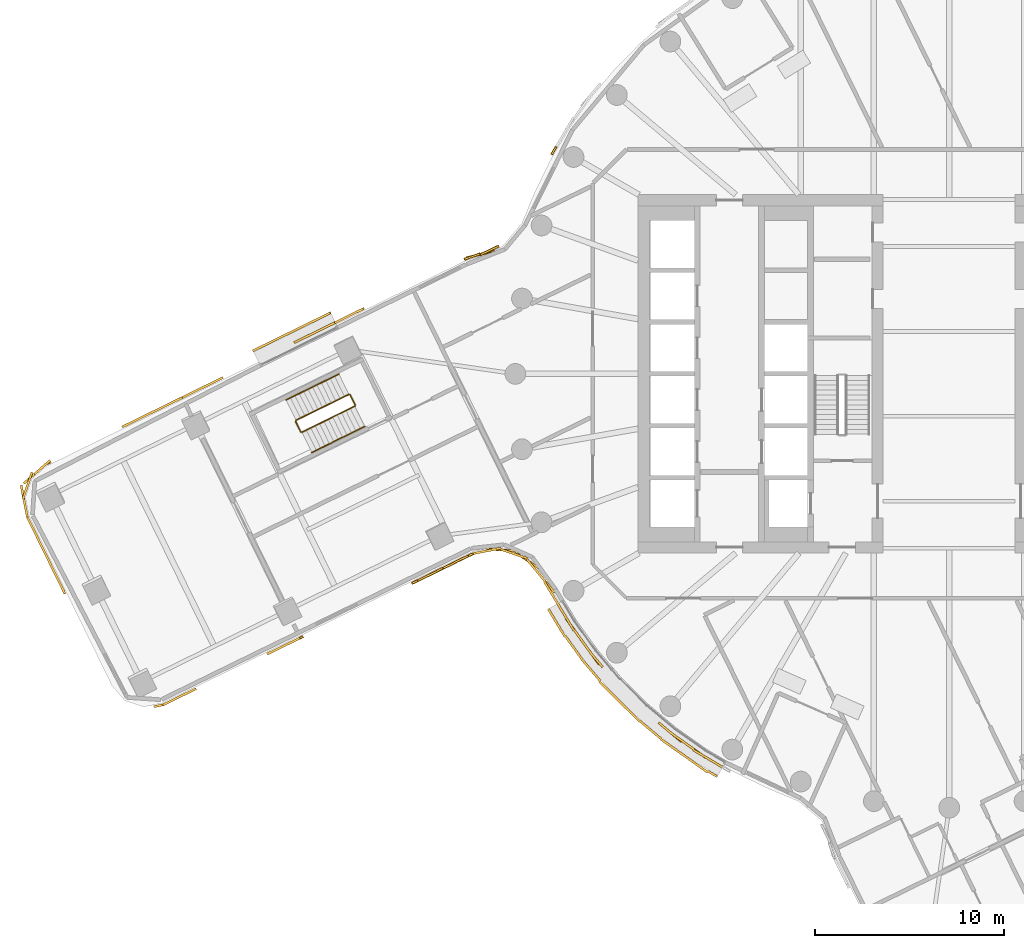
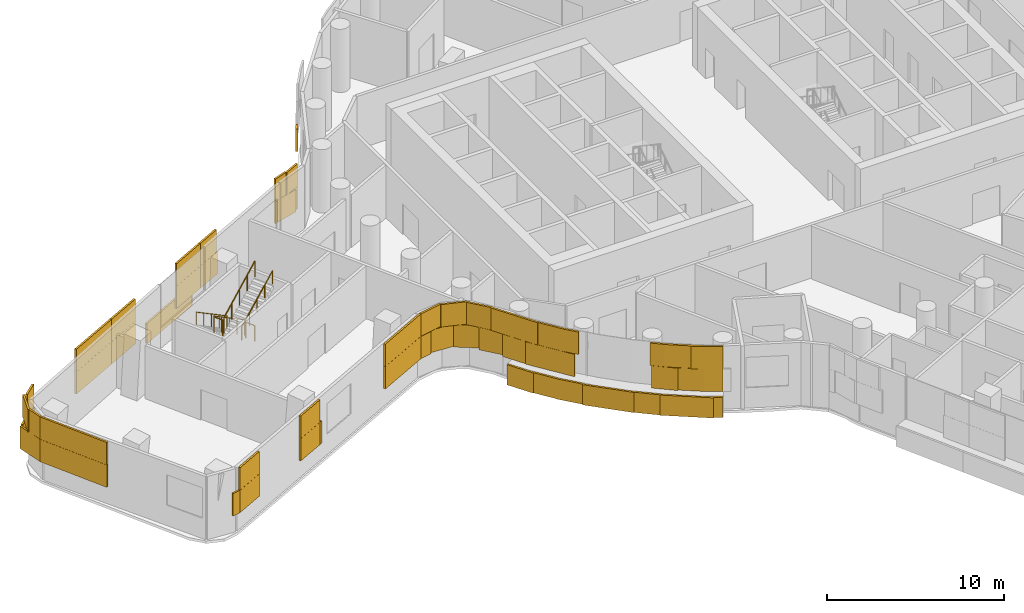
# One storey, part 18 of 23: 8 coverings, 6 railings.
"""IFC4 building model written with IfcOpenShell, lengths in metres."""

from ifc_helpers import new_model, si_unit, direction, frame, origin, origin_2d, place, context, subcontext, project, spatial, rectangle, circle, extrude, material, layer, layer_set, type_object, element, save


model = new_model("IFC4")

# Units and contexts
model_context = context("Model", 3, precision=1e-05, world=origin(), true_north=direction((0.0, 1.0)))
body_context = subcontext(model_context, "Body", "Model", "MODEL_VIEW")
ifc_project = project(units=[si_unit("LENGTHUNIT", "METRE"), si_unit("AREAUNIT", "SQUARE_METRE"), si_unit("VOLUMEUNIT", "CUBIC_METRE"), si_unit("PLANEANGLEUNIT", "RADIAN"), si_unit("MASSUNIT", "GRAM", prefix="KILO")], contexts=[model_context])

# Site, building, storey
site_placement = place(None, origin())
site = spatial("IfcSite", under=ifc_project, at=site_placement, CompositionType="ELEMENT")
building_placement = place(site_placement, origin())
building = spatial("IfcBuilding", under=site, at=building_placement, Name="Tamarind Cross Interchange Tower", CompositionType="ELEMENT")
storey_placement = place(building_placement, frame((0.0, 0.0, 128.5)))
storey = spatial("IfcBuildingStorey", under=building, at=storey_placement, Name="L31", CompositionType="ELEMENT", Elevation=128.5)

# Railings
ifc_material_1 = material(Name="Stair guard")
railing_type_1 = type_object("IfcRailingType", Name="Stair guard", PredefinedType="GUARDRAIL", material=ifc_material_1)
railing_1_placement = place(storey_placement, frame((-31.8251953125, -1.08642578125, 0.173095703125)))
element("IfcRailing", 1, at=railing_1_placement, inside=storey, type_object=railing_type_1, Name="L31 ST5 stair guard 1", PredefinedType="GUARDRAIL", context=body_context, shape_type="SweptSolid", body=[
    extrude(circle(Radius=0.02392578125, at=origin_2d()), frame((0.0, 0.0, 1.076171875), z_axis=(-0.747410813124, -0.366474920223, 0.554141867461), x_axis=(0.440251234613, -0.897874629568, 0.0)), (0.0, 0.0, 1.0), 3.748046875),
    extrude(circle(Radius=0.02099609375, at=origin_2d()), origin(), (0.0, 0.0, 1.0), 1.052001953125),
    extrude(circle(Radius=0.02099609375, at=origin_2d()), frame((-0.7001953125, -0.34326171875, 0.519287109375)), (0.0, 0.0, 1.0), 1.052001953125),
    extrude(circle(Radius=0.02099609375, at=origin_2d()), frame((-1.400634765625, -0.686767578125, 1.03857421875)), (0.0, 0.0, 1.0), 1.052001953125),
    extrude(circle(Radius=0.02099609375, at=origin_2d()), frame((-2.10107421875, -1.0302734375, 1.5576171875)), (0.0, 0.0, 1.0), 1.052001953125),
    extrude(circle(Radius=0.02099609375, at=origin_2d()), frame((-2.80126953125, -1.37353515625, 2.076904296875)), (0.0, 0.0, 1.0), 1.052001953125),
])
railing_2_placement = place(storey_placement, frame((-34.6494140625, -2.52685546875, 2.25)))
element("IfcRailing", 2, at=railing_2_placement, inside=storey, type_object=railing_type_1, Name="L31 ST5 stair guard 2", PredefinedType="GUARDRAIL", context=body_context, shape_type="SweptSolid", body=[
    extrude(circle(Radius=0.02392578125, at=origin_2d()), frame((0.0, 0.0, 1.076171875), z_axis=(0.44020223889, -0.897898651784, 0.0), x_axis=(0.897898651784, 0.44020223889, 0.0)), (0.0, 0.0, 1.0), 0.60009765625),
    extrude(circle(Radius=0.02099609375, at=origin_2d()), origin(), (0.0, 0.0, 1.0), 1.052001953125),
    extrude(circle(Radius=0.02099609375, at=origin_2d()), frame((0.26416015625, -0.538818359375, 0.0)), (0.0, 0.0, 1.0), 1.052001953125),
])
railing_3_placement = place(storey_placement, frame((-34.318359375, -3.088623046875, 2.423095703125)))
element("IfcRailing", 3, at=railing_3_placement, inside=storey, type_object=railing_type_1, Name="L31 ST5 stair guard 3", PredefinedType="GUARDRAIL", context=body_context, shape_type="SweptSolid", body=[
    extrude(circle(Radius=0.02392578125, at=origin_2d()), frame((0.0, 0.0, 1.076171875), z_axis=(0.747439562114, 0.366457078558, 0.554114889316), x_axis=(-0.440220303874, 0.897889795051, 0.0)), (0.0, 0.0, 1.0), 3.748046875),
    extrude(circle(Radius=0.02099609375, at=origin_2d()), origin(), (0.0, 0.0, 1.0), 1.052001953125),
    extrude(circle(Radius=0.02099609375, at=origin_2d()), frame((0.700439453125, 0.34326171875, 0.519287109375)), (0.0, 0.0, 1.0), 1.052001953125),
    extrude(circle(Radius=0.02099609375, at=origin_2d()), frame((1.40087890625, 0.686767578125, 1.03857421875)), (0.0, 0.0, 1.0), 1.052001953125),
    extrude(circle(Radius=0.02099609375, at=origin_2d()), frame((2.10107421875, 1.0302734375, 1.5576171875)), (0.0, 0.0, 1.0), 1.052001953125),
    extrude(circle(Radius=0.02099609375, at=origin_2d()), frame((2.801513671875, 1.37353515625, 2.076904296875)), (0.0, 0.0, 1.0), 1.052001953125),
])
railing_4_placement = place(storey_placement, frame((-31.758056640625, -1.109375, 0.0)))
element("IfcRailing", 4, at=railing_4_placement, inside=storey, type_object=railing_type_1, Name="L31 ST5 stair guard 4", PredefinedType="GUARDRAIL", context=body_context, shape_type="SweptSolid", body=[
    extrude(circle(Radius=0.02392578125, at=origin_2d()), frame((0.0, 0.0, 1.076171875), z_axis=(0.44020223889, -0.897898651784, 0.0), x_axis=(0.897898651784, 0.44020223889, 0.0)), (0.0, 0.0, 1.0), 0.60009765625),
    extrude(circle(Radius=0.02099609375, at=origin_2d()), origin(), (0.0, 0.0, 1.0), 1.052001953125),
    extrude(circle(Radius=0.02099609375, at=origin_2d()), frame((0.26416015625, -0.538818359375, 0.0)), (0.0, 0.0, 1.0), 1.052001953125),
])
ifc_material_2 = material(Name="Stair handrail")
railing_type_2 = type_object("IfcRailingType", Name="Stair handrail", PredefinedType="HANDRAIL", material=ifc_material_2)
railing_5_placement = place(storey_placement, frame((-32.353271484375, -0.009033203125, 0.173095703125)))
element("IfcRailing", 5, at=railing_5_placement, inside=storey, type_object=railing_type_2, Name="L31 ST5 stair handrail 1", PredefinedType="HANDRAIL", context=body_context, shape_type="SweptSolid", body=[
    extrude(circle(Radius=0.02392578125, at=origin_2d()), frame((0.0, 0.0, 0.8759765625), z_axis=(-0.747439562114, -0.366457078558, 0.554114889316), x_axis=(0.440220303874, -0.897889795051, 0.0)), (0.0, 0.0, 1.0), 3.748046875),
    extrude(circle(Radius=0.02099609375, at=origin_2d()), origin(), (0.0, 0.0, 1.0), 0.851806640625),
    extrude(circle(Radius=0.02099609375, at=origin_2d()), frame((-0.700439453125, -0.34326171875, 0.519287109375)), (0.0, 0.0, 1.0), 0.851806640625),
    extrude(circle(Radius=0.02099609375, at=origin_2d()), frame((-1.40087890625, -0.686767578125, 1.03857421875)), (0.0, 0.0, 1.0), 0.851806640625),
    extrude(circle(Radius=0.02099609375, at=origin_2d()), frame((-2.10107421875, -1.0302734375, 1.5576171875)), (0.0, 0.0, 1.0), 0.851806640625),
    extrude(circle(Radius=0.02099609375, at=origin_2d()), frame((-2.801513671875, -1.37353515625, 2.076904296875)), (0.0, 0.0, 1.0), 0.851806640625),
])
railing_6_placement = place(storey_placement, frame((-33.7900390625, -4.166015625, 2.423095703125)))
element("IfcRailing", 6, at=railing_6_placement, inside=storey, type_object=railing_type_2, Name="L31 ST5 stair handrail 2", PredefinedType="HANDRAIL", context=body_context, shape_type="SweptSolid", body=[
    extrude(circle(Radius=0.02392578125, at=origin_2d()), frame((0.0, 0.0, 0.8759765625), z_axis=(0.747439562114, 0.366457078558, 0.554114889316), x_axis=(-0.440220303874, 0.897889795051, 0.0)), (0.0, 0.0, 1.0), 3.748046875),
    extrude(circle(Radius=0.02099609375, at=origin_2d()), origin(), (0.0, 0.0, 1.0), 0.851806640625),
    extrude(circle(Radius=0.02099609375, at=origin_2d()), frame((0.700439453125, 0.34326171875, 0.519287109375)), (0.0, 0.0, 1.0), 0.851806640625),
    extrude(circle(Radius=0.02099609375, at=origin_2d()), frame((1.40087890625, 0.686767578125, 1.03857421875)), (0.0, 0.0, 1.0), 0.851806640625),
    extrude(circle(Radius=0.02099609375, at=origin_2d()), frame((2.10107421875, 1.0302734375, 1.5576171875)), (0.0, 0.0, 1.0), 0.851806640625),
    extrude(circle(Radius=0.02099609375, at=origin_2d()), frame((2.801513671875, 1.37353515625, 2.076904296875)), (0.0, 0.0, 1.0), 0.851806640625),
])

# Coverings
ifc_material_3 = material(Name="Terracotta", Category="masonry")
ifc_layer = layer(ifc_material_3, 0.1201171875)
ifc_layer_set = layer_set([ifc_layer], Name="Terracotta")
covering_type = type_object("IfcCoveringType", Name="Terracotta baguette screen unit", PredefinedType="MOLDING", material=ifc_layer_set)
covering_1_placement = place(storey_placement, origin())
element("IfcCovering", 7, at=covering_1_placement, inside=storey, type_object=covering_type, Name="SCR-L31-00-00", PredefinedType="MOLDING", context=body_context, shape_type="SweptSolid", body=[
    extrude(rectangle(XDim=0.760009765625, YDim=0.1201171875, at=origin_2d()), frame((-48.70654296875, -7.9306640625, 1.404052734375), z_axis=(0.0, 0.0, 1.0), x_axis=(0.440252613806, -0.897873953312, 0.0)), (0.0, 0.0, 1.0), 1.5419921875),
    extrude(rectangle(XDim=1.52001953125, YDim=0.1201171875, at=origin_2d()), frame((-48.211181640625, -8.940673828125, 1.404052734375), z_axis=(0.0, 0.0, 1.0), x_axis=(0.440252613806, -0.897873953312, 0.0)), (0.0, 0.0, 1.0), 1.5419921875),
    extrude(rectangle(XDim=1.52001953125, YDim=0.1201171875, at=origin_2d()), frame((-47.55078125, -10.28759765625, 1.404052734375), z_axis=(0.0, 0.0, 1.0), x_axis=(0.440252613806, -0.897873953312, 0.0)), (0.0, 0.0, 1.0), 1.5419921875),
    extrude(rectangle(XDim=0.784912109375, YDim=0.1201171875, at=origin_2d()), frame((-47.050048828125, -11.308837890625, 1.404052734375), z_axis=(0.0, 0.0, 1.0), x_axis=(0.440252613806, -0.897873953312, 0.0)), (0.0, 0.0, 1.0), 1.5419921875),
    extrude(rectangle(XDim=0.509521484375, YDim=0.1201171875, at=origin_2d()), frame((-41.9228515625, -17.59326171875, 1.404052734375), z_axis=(0.0, 0.0, 1.0), x_axis=(0.981225401366, 0.192864490548, 0.0)), (0.0, 0.0, 1.0), 1.5419921875),
    extrude(rectangle(XDim=1.510009765625, YDim=0.1201171875, at=origin_2d()), frame((-48.541259765625, -8.267333984375, 2.9541015625), z_axis=(0.0, 0.0, 1.0), x_axis=(0.440252613806, -0.897873953312, 0.0)), (0.0, 0.0, 1.0), 1.5419921875),
    extrude(rectangle(XDim=1.52001953125, YDim=0.1201171875, at=origin_2d()), frame((-47.881103515625, -9.6142578125, 2.9541015625), z_axis=(0.0, 0.0, 1.0), x_axis=(0.440252613806, -0.897873953312, 0.0)), (0.0, 0.0, 1.0), 1.5419921875),
    extrude(rectangle(XDim=1.52001953125, YDim=0.1201171875, at=origin_2d()), frame((-47.220703125, -10.9609375, 2.9541015625), z_axis=(0.0, 0.0, 1.0), x_axis=(0.440252613806, -0.897873953312, 0.0)), (0.0, 0.0, 1.0), 1.5419921875),
])
covering_2_placement = place(storey_placement, origin())
element("IfcCovering", 8, at=covering_2_placement, inside=storey, type_object=covering_type, Name="SCR-L31-01-00", PredefinedType="MOLDING", context=body_context, shape_type="SweptSolid", body=[
    extrude(rectangle(XDim=0.760009765625, YDim=0.1201171875, at=origin_2d()), frame((-41.3408203125, -17.380615234375, 1.404052734375), z_axis=(0.0, 0.0, 1.0), x_axis=(0.898690697479, 0.438582979909, 0.0)), (0.0, 0.0, 1.0), 1.5419921875),
    extrude(rectangle(XDim=1.2001953125, YDim=0.1201171875, at=origin_2d()), frame((-40.468994140625, -16.955078125, 1.404052734375), z_axis=(0.0, 0.0, 1.0), x_axis=(0.898690697479, 0.438582979909, 0.0)), (0.0, 0.0, 1.0), 1.5419921875),
    extrude(rectangle(XDim=0.619873046875, YDim=0.1201171875, at=origin_2d()), frame((-35.8857421875, -14.71826171875, 1.404052734375), z_axis=(0.0, 0.0, 1.0), x_axis=(0.898690697479, 0.438582979909, 0.0)), (0.0, 0.0, 1.0), 1.5419921875),
    extrude(rectangle(XDim=1.340576171875, YDim=0.1201171875, at=origin_2d()), frame((-35.013916015625, -14.292724609375, 1.404052734375), z_axis=(0.0, 0.0, 1.0), x_axis=(0.898690697479, 0.438582979909, 0.0)), (0.0, 0.0, 1.0), 1.5419921875),
    extrude(rectangle(XDim=1.510009765625, YDim=0.1201171875, at=origin_2d()), frame((-41.00390625, -17.216064453125, 2.9541015625), z_axis=(0.0, 0.0, 1.0), x_axis=(0.898690697479, 0.438582979909, 0.0)), (0.0, 0.0, 1.0), 1.5419921875),
    extrude(rectangle(XDim=0.4501953125, YDim=0.1201171875, at=origin_2d()), frame((-40.132080078125, -16.79052734375, 2.9541015625), z_axis=(0.0, 0.0, 1.0), x_axis=(0.898690697479, 0.438582979909, 0.0)), (0.0, 0.0, 1.0), 1.5419921875),
    extrude(rectangle(XDim=1.369873046875, YDim=0.1201171875, at=origin_2d()), frame((-35.548583984375, -14.5537109375, 2.9541015625), z_axis=(0.0, 0.0, 1.0), x_axis=(0.898690697479, 0.438582979909, 0.0)), (0.0, 0.0, 1.0), 1.5419921875),
    extrude(rectangle(XDim=0.590576171875, YDim=0.1201171875, at=origin_2d()), frame((-34.6767578125, -14.12841796875, 2.9541015625), z_axis=(0.0, 0.0, 1.0), x_axis=(0.898690697479, 0.438582979909, 0.0)), (0.0, 0.0, 1.0), 1.5419921875),
])
covering_3_placement = place(storey_placement, origin())
element("IfcCovering", 9, at=covering_3_placement, inside=storey, type_object=covering_type, Name="SCR-L31-01-01", PredefinedType="MOLDING", context=body_context, shape_type="SweptSolid", body=[
    extrude(rectangle(XDim=0.179443359375, YDim=0.1201171875, at=origin_2d()), frame((-34.33984375, -13.9638671875, 1.404052734375), z_axis=(0.0, 0.0, 1.0), x_axis=(0.898690697479, 0.438582979909, 0.0)), (0.0, 0.0, 1.0), 1.5419921875),
    extrude(rectangle(XDim=1.07958984375, YDim=0.1201171875, at=origin_2d()), frame((-28.004150390625, -10.871826171875, 1.404052734375), z_axis=(0.0, 0.0, 1.0), x_axis=(0.898690697479, 0.438582979909, 0.0)), (0.0, 0.0, 1.0), 1.5419921875),
    extrude(rectangle(XDim=1.52001953125, YDim=0.1201171875, at=origin_2d()), frame((-26.849365234375, -10.308349609375, 1.404052734375), z_axis=(0.0, 0.0, 1.0), x_axis=(0.898690697479, 0.438582979909, 0.0)), (0.0, 0.0, 1.0), 1.5419921875),
    extrude(rectangle(XDim=1.04052734375, YDim=0.1201171875, at=origin_2d()), frame((-25.71240234375, -9.75341796875, 1.404052734375), z_axis=(0.0, 0.0, 1.0), x_axis=(0.898690697479, 0.438582979909, 0.0)), (0.0, 0.0, 1.0), 1.5419921875),
    extrude(rectangle(XDim=0.32958984375, YDim=0.1201171875, at=origin_2d()), frame((-28.341064453125, -11.036376953125, 2.9541015625), z_axis=(0.0, 0.0, 1.0), x_axis=(0.898690697479, 0.438582979909, 0.0)), (0.0, 0.0, 1.0), 1.5419921875),
    extrude(rectangle(XDim=1.52001953125, YDim=0.1201171875, at=origin_2d()), frame((-27.5234375, -10.63720703125, 2.9541015625), z_axis=(0.0, 0.0, 1.0), x_axis=(0.898690697479, 0.438582979909, 0.0)), (0.0, 0.0, 1.0), 1.5419921875),
    extrude(rectangle(XDim=1.52001953125, YDim=0.1201171875, at=origin_2d()), frame((-26.175537109375, -9.9794921875, 2.9541015625), z_axis=(0.0, 0.0, 1.0), x_axis=(0.898690697479, 0.438582979909, 0.0)), (0.0, 0.0, 1.0), 1.5419921875),
    extrude(rectangle(XDim=0.29052734375, YDim=0.1201171875, at=origin_2d()), frame((-25.375244140625, -9.5888671875, 2.9541015625), z_axis=(0.0, 0.0, 1.0), x_axis=(0.898690697479, 0.438582979909, 0.0)), (0.0, 0.0, 1.0), 1.5419921875),
])
covering_4_placement = place(storey_placement, origin())
element("IfcCovering", 10, at=covering_4_placement, inside=storey, type_object=covering_type, Name="SCR-L31-02-00", PredefinedType="MOLDING", context=body_context, shape_type="SweptSolid", body=[
    extrude(rectangle(XDim=0.760009765625, YDim=0.1201171875, at=origin_2d()), frame((-24.88134765625, -9.455078125, 1.404052734375), z_axis=(0.0, 0.0, 1.0), x_axis=(0.98126317756, 0.192672199254, 0.0)), (0.0, 0.0, 1.0), 1.5419921875),
    extrude(rectangle(XDim=1.52001953125, YDim=0.1201171875, at=origin_2d()), frame((-23.771484375, -9.33349609375, 1.404052734375), z_axis=(0.0, 0.0, 1.0), x_axis=(0.997681362258, -0.068058059063, 0.0)), (0.0, 0.0, 1.0), 1.5419921875),
    extrude(rectangle(XDim=1.52001953125, YDim=0.1201171875, at=origin_2d()), frame((-22.3896484375, -9.87646484375, 1.404052734375), z_axis=(0.0, 0.0, 1.0), x_axis=(0.829769698331, -0.55810594669, 0.0)), (0.0, 0.0, 1.0), 1.5419921875),
    extrude(rectangle(XDim=1.52001953125, YDim=0.1201171875, at=origin_2d()), frame((-21.4111328125, -11.0078125, 1.404052734375), z_axis=(0.0, 0.0, 1.0), x_axis=(0.638639965842, -0.76950568161, 0.0)), (0.0, 0.0, 1.0), 1.5419921875),
    extrude(rectangle(XDim=1.52001953125, YDim=0.1201171875, at=origin_2d()), frame((-20.67626953125, -12.314453125, 1.404052734375), z_axis=(0.0, 0.0, 1.0), x_axis=(0.515577308909, -0.856843065292, 0.0)), (0.0, 0.0, 1.0), 1.5419921875),
    extrude(rectangle(XDim=1.52001953125, YDim=0.1201171875, at=origin_2d()), frame((-19.875732421875, -13.581787109375, 1.404052734375), z_axis=(0.0, 0.0, 1.0), x_axis=(0.584573890505, -0.811340475102, 0.0)), (0.0, 0.0, 1.0), 1.5419921875),
    extrude(rectangle(XDim=1.52001953125, YDim=0.1201171875, at=origin_2d()), frame((-18.998779296875, -14.798583984375, 1.404052734375), z_axis=(0.0, 0.0, 1.0), x_axis=(0.584573890505, -0.811340475102, 0.0)), (0.0, 0.0, 1.0), 1.5419921875),
    extrude(rectangle(XDim=1.52001953125, YDim=0.1201171875, at=origin_2d()), frame((-14.76318359375, -19.027587890625, 1.404052734375), z_axis=(0.0, 0.0, 1.0), x_axis=(0.765858396687, -0.643009266048, 0.0)), (0.0, 0.0, 1.0), 1.5419921875),
    extrude(rectangle(XDim=1.52001953125, YDim=0.1201171875, at=origin_2d()), frame((-13.542236328125, -19.8984375, 1.404052734375), z_axis=(0.0, 0.0, 1.0), x_axis=(0.816341886298, -0.577568978284, 0.0)), (0.0, 0.0, 1.0), 1.5419921875),
    extrude(rectangle(XDim=1.038818359375, YDim=0.1201171875, at=origin_2d()), frame((-12.478271484375, -20.57958984375, 1.404052734375), z_axis=(0.0, 0.0, 1.0), x_axis=(0.861248933065, -0.508183308752, 0.0)), (0.0, 0.0, 1.0), 1.5419921875),
    extrude(rectangle(XDim=1.510009765625, YDim=0.1201171875, at=origin_2d()), frame((-24.51318359375, -9.383056640625, 2.9541015625), z_axis=(0.0, 0.0, 1.0), x_axis=(0.98126317756, 0.192672199254, 0.0)), (0.0, 0.0, 1.0), 1.5419921875),
    extrude(rectangle(XDim=1.52001953125, YDim=0.1201171875, at=origin_2d()), frame((-23.0556640625, -9.54541015625, 2.9541015625), z_axis=(0.0, 0.0, 1.0), x_axis=(0.946007969178, -0.324143366817, 0.0)), (0.0, 0.0, 1.0), 1.5419921875),
    extrude(rectangle(XDim=1.52001953125, YDim=0.1201171875, at=origin_2d()), frame((-21.89013671875, -10.4306640625, 2.9541015625), z_axis=(0.0, 0.0, 1.0), x_axis=(0.638639965842, -0.76950568161, 0.0)), (0.0, 0.0, 1.0), 1.5419921875),
    extrude(rectangle(XDim=1.52001953125, YDim=0.1201171875, at=origin_2d()), frame((-21.06298828125, -11.671875, 2.9541015625), z_axis=(0.0, 0.0, 1.0), x_axis=(0.515577308909, -0.856843065292, 0.0)), (0.0, 0.0, 1.0), 1.5419921875),
    extrude(rectangle(XDim=1.52001953125, YDim=0.1201171875, at=origin_2d()), frame((-20.289794921875, -12.95703125, 2.9541015625), z_axis=(0.0, 0.0, 1.0), x_axis=(0.515577308909, -0.856843065292, 0.0)), (0.0, 0.0, 1.0), 1.5419921875),
    extrude(rectangle(XDim=1.52001953125, YDim=0.1201171875, at=origin_2d()), frame((-19.437255859375, -14.190185546875, 2.9541015625), z_axis=(0.0, 0.0, 1.0), x_axis=(0.584573890505, -0.811340475102, 0.0)), (0.0, 0.0, 1.0), 1.5419921875),
    extrude(rectangle(XDim=0.9814453125, YDim=0.1201171875, at=origin_2d()), frame((-18.689453125, -15.1728515625, 2.9541015625), z_axis=(0.0, 0.0, 1.0), x_axis=(0.64957723968, -0.760295606781, 0.0)), (0.0, 0.0, 1.0), 1.5419921875),
    extrude(rectangle(XDim=0.838623046875, YDim=0.1201171875, at=origin_2d()), frame((-15.08056640625, -18.76123046875, 2.9541015625), z_axis=(0.0, 0.0, 1.0), x_axis=(0.765858396687, -0.643009266048, 0.0)), (0.0, 0.0, 1.0), 1.5419921875),
    extrude(rectangle(XDim=1.52001953125, YDim=0.1201171875, at=origin_2d()), frame((-14.154296875, -19.46533203125, 2.9541015625), z_axis=(0.0, 0.0, 1.0), x_axis=(0.816341886298, -0.577568978284, 0.0)), (0.0, 0.0, 1.0), 1.5419921875),
    extrude(rectangle(XDim=1.52001953125, YDim=0.1201171875, at=origin_2d()), frame((-12.921142578125, -20.318359375, 2.9541015625), z_axis=(0.0, 0.0, 1.0), x_axis=(0.861248933065, -0.508183308752, 0.0)), (0.0, 0.0, 1.0), 1.5419921875),
    extrude(rectangle(XDim=0.288818359375, YDim=0.1201171875, at=origin_2d()), frame((-12.1552734375, -20.770263671875, 2.9541015625), z_axis=(0.0, 0.0, 1.0), x_axis=(0.861248933065, -0.508183308752, 0.0)), (0.0, 0.0, 1.0), 1.5419921875),
    extrude(rectangle(XDim=0.2119140625, YDim=0.1201171875, at=origin_2d()), frame((-21.20166015625, -12.554931640625, 0.00390625), z_axis=(0.0, 0.0, 1.0), x_axis=(0.515577308909, -0.856843065292, 0.0)), (0.0, 0.0, 1.0), 1.39208984375),
    extrude(rectangle(XDim=1.52001953125, YDim=0.1201171875, at=origin_2d()), frame((-20.765380859375, -13.27978515625, 0.00390625), z_axis=(0.0, 0.0, 1.0), x_axis=(0.515577308909, -0.856843065292, 0.0)), (0.0, 0.0, 1.0), 1.39208984375),
    extrude(rectangle(XDim=1.52001953125, YDim=0.1201171875, at=origin_2d()), frame((-19.912353515625, -14.5126953125, 0.00390625), z_axis=(0.0, 0.0, 1.0), x_axis=(0.584573890505, -0.811340475102, 0.0)), (0.0, 0.0, 1.0), 1.39208984375),
    extrude(rectangle(XDim=1.52001953125, YDim=0.1201171875, at=origin_2d()), frame((-18.99560546875, -15.6982421875, 0.00390625), z_axis=(0.0, 0.0, 1.0), x_axis=(0.64957723968, -0.760295606781, 0.0)), (0.0, 0.0, 1.0), 1.39208984375),
    extrude(rectangle(XDim=1.52001953125, YDim=0.1201171875, at=origin_2d()), frame((-18.0166015625, -16.834228515625, 0.00390625), z_axis=(0.0, 0.0, 1.0), x_axis=(0.710143317658, -0.704057148523, 0.0)), (0.0, 0.0, 1.0), 1.39208984375),
    extrude(rectangle(XDim=1.52001953125, YDim=0.1201171875, at=origin_2d()), frame((-16.951416015625, -17.890380859375, 0.00390625), z_axis=(0.0, 0.0, 1.0), x_axis=(0.710143317658, -0.704057148523, 0.0)), (0.0, 0.0, 1.0), 1.39208984375),
    extrude(rectangle(XDim=1.52001953125, YDim=0.1201171875, at=origin_2d()), frame((-15.828125, -18.883056640625, 0.00390625), z_axis=(0.0, 0.0, 1.0), x_axis=(0.765858396687, -0.643009266048, 0.0)), (0.0, 0.0, 1.0), 1.39208984375),
    extrude(rectangle(XDim=1.52001953125, YDim=0.1201171875, at=origin_2d()), frame((-14.654052734375, -19.81494140625, 0.00390625), z_axis=(0.0, 0.0, 1.0), x_axis=(0.816341886298, -0.577568978284, 0.0)), (0.0, 0.0, 1.0), 1.39208984375),
    extrude(rectangle(XDim=1.52001953125, YDim=0.1201171875, at=origin_2d()), frame((-13.4296875, -20.68115234375, 0.00390625), z_axis=(0.0, 0.0, 1.0), x_axis=(0.816341886298, -0.577568978284, 0.0)), (0.0, 0.0, 1.0), 1.39208984375),
    extrude(rectangle(XDim=0.547607421875, YDim=0.1201171875, at=origin_2d()), frame((-12.55810546875, -21.198974609375, 0.00390625), z_axis=(0.0, 0.0, 1.0), x_axis=(0.861248933065, -0.508183308752, 0.0)), (0.0, 0.0, 1.0), 1.39208984375),
])
covering_5_placement = place(storey_placement, origin())
element("IfcCovering", 11, at=covering_5_placement, inside=storey, type_object=covering_type, Name="SCR-L31-14-01", PredefinedType="MOLDING", context=body_context, shape_type="SweptSolid", body=[
    extrude(rectangle(XDim=0.481201171875, YDim=0.1201171875, at=origin_2d()), frame((-20.960693359375, 11.832275390625, 1.404052734375), z_axis=(0.0, 0.0, 1.0), x_axis=(-0.508183308752, -0.861248933065, 0.0)), (0.0, 0.0, 1.0), 1.5419921875),
    extrude(rectangle(XDim=0.3271484375, YDim=0.1201171875, at=origin_2d()), frame((-24.02978515625, 6.70361328125, 1.404052734375), z_axis=(0.0, 0.0, 1.0), x_axis=(-0.902502219891, -0.430685201848, 0.0)), (0.0, 0.0, 1.0), 1.5419921875),
    extrude(rectangle(XDim=1.52001953125, YDim=0.1201171875, at=origin_2d()), frame((-24.859375, 6.33837890625, 1.404052734375), z_axis=(0.0, 0.0, 1.0), x_axis=(-0.967500914057, -0.252867517288, 0.0)), (0.0, 0.0, 1.0), 1.5419921875),
    extrude(rectangle(XDim=0.147216796875, YDim=0.1201171875, at=origin_2d()), frame((-25.64208984375, 6.1005859375, 1.404052734375), z_axis=(0.0, 0.0, 1.0), x_axis=(-0.947657014468, -0.319290123445, 0.0)), (0.0, 0.0, 1.0), 1.5419921875),
    extrude(rectangle(XDim=1.0771484375, YDim=0.1201171875, at=origin_2d()), frame((-24.3681640625, 6.5419921875, 2.9541015625), z_axis=(0.0, 0.0, 1.0), x_axis=(-0.902502219891, -0.430685201848, 0.0)), (0.0, 0.0, 1.0), 1.5419921875),
    extrude(rectangle(XDim=0.897216796875, YDim=0.1201171875, at=origin_2d()), frame((-25.286865234375, 6.220458984375, 2.9541015625), z_axis=(0.0, 0.0, 1.0), x_axis=(-0.947657014468, -0.319290123445, 0.0)), (0.0, 0.0, 1.0), 1.5419921875),
])
covering_6_placement = place(storey_placement, origin())
element("IfcCovering", 12, at=covering_6_placement, inside=storey, type_object=covering_type, Name="SCR-L31-15-00", PredefinedType="MOLDING", context=body_context, shape_type="SweptSolid", body=[
    extrude(rectangle(XDim=0.83642578125, YDim=0.1201171875, at=origin_2d()), frame((-31.396728515625, 3.288818359375, 1.404052734375), z_axis=(0.0, 0.0, 1.0), x_axis=(-0.897873953312, -0.440252613806, 0.0)), (0.0, 0.0, 1.0), 1.5419921875),
    extrude(rectangle(XDim=0.9072265625, YDim=0.1201171875, at=origin_2d()), frame((-32.170654296875, 2.909423828125, 1.404052734375), z_axis=(0.0, 0.0, 1.0), x_axis=(-0.897873953312, -0.440252613806, 0.0)), (0.0, 0.0, 1.0), 1.5419921875),
    extrude(rectangle(XDim=1.52001953125, YDim=0.1201171875, at=origin_2d()), frame((-31.767822265625, 3.10693359375, 2.9541015625), z_axis=(0.0, 0.0, 1.0), x_axis=(-0.897873953312, -0.440252613806, 0.0)), (0.0, 0.0, 1.0), 1.5419921875),
    extrude(rectangle(XDim=0.1572265625, YDim=0.1201171875, at=origin_2d()), frame((-32.50732421875, 2.744384765625, 2.9541015625), z_axis=(0.0, 0.0, 1.0), x_axis=(-0.897873953312, -0.440252613806, 0.0)), (0.0, 0.0, 1.0), 1.5419921875),
    extrude(rectangle(XDim=0.040283203125, YDim=0.1201171875, at=origin_2d()), frame((-32.8056640625, 3.2373046875, 0.00390625), z_axis=(0.0, 0.0, 1.0), x_axis=(-0.897873953312, -0.440252613806, 0.0)), (0.0, 0.0, 1.0), 1.39208984375),
])
covering_7_placement = place(storey_placement, origin())
element("IfcCovering", 13, at=covering_7_placement, inside=storey, type_object=covering_type, Name="SCR-L31-15-01", PredefinedType="MOLDING", context=body_context, shape_type="SweptSolid", body=[
    extrude(rectangle(XDim=0.61279296875, YDim=0.1201171875, at=origin_2d()), frame((-32.843994140625, 2.579345703125, 1.404052734375), z_axis=(0.0, 0.0, 1.0), x_axis=(-0.897873953312, -0.440252613806, 0.0)), (0.0, 0.0, 1.0), 1.5419921875),
    extrude(rectangle(XDim=1.52001953125, YDim=0.1201171875, at=origin_2d()), frame((-33.7880859375, 2.116455078125, 1.404052734375), z_axis=(0.0, 0.0, 1.0), x_axis=(-0.897873953312, -0.440252613806, 0.0)), (0.0, 0.0, 1.0), 1.5419921875),
    extrude(rectangle(XDim=0.310546875, YDim=0.1201171875, at=origin_2d()), frame((-34.59619140625, 1.72021484375, 1.404052734375), z_axis=(0.0, 0.0, 1.0), x_axis=(-0.897873953312, -0.440252613806, 0.0)), (0.0, 0.0, 1.0), 1.5419921875),
    extrude(rectangle(XDim=1.509521484375, YDim=0.1201171875, at=origin_2d()), frame((-39.175537109375, -0.525146484375, 1.404052734375), z_axis=(0.0, 0.0, 1.0), x_axis=(-0.897873953312, -0.440252613806, 0.0)), (0.0, 0.0, 1.0), 1.5419921875),
    extrude(rectangle(XDim=0.913818359375, YDim=0.1201171875, at=origin_2d()), frame((-40.25439453125, -1.05419921875, 1.404052734375), z_axis=(0.0, 0.0, 1.0), x_axis=(-0.897873953312, -0.440252613806, 0.0)), (0.0, 0.0, 1.0), 1.5419921875),
    extrude(rectangle(XDim=1.36279296875, YDim=0.1201171875, at=origin_2d()), frame((-33.1806640625, 2.414306640625, 2.9541015625), z_axis=(0.0, 0.0, 1.0), x_axis=(-0.897873953312, -0.440252613806, 0.0)), (0.0, 0.0, 1.0), 1.5419921875),
    extrude(rectangle(XDim=1.060546875, YDim=0.1201171875, at=origin_2d()), frame((-34.259521484375, 1.88525390625, 2.9541015625), z_axis=(0.0, 0.0, 1.0), x_axis=(-0.897873953312, -0.440252613806, 0.0)), (0.0, 0.0, 1.0), 1.5419921875),
    extrude(rectangle(XDim=0.759521484375, YDim=0.1201171875, at=origin_2d()), frame((-38.8388671875, -0.360107421875, 2.9541015625), z_axis=(0.0, 0.0, 1.0), x_axis=(-0.897873953312, -0.440252613806, 0.0)), (0.0, 0.0, 1.0), 1.5419921875),
    extrude(rectangle(XDim=1.52001953125, YDim=0.1201171875, at=origin_2d()), frame((-39.8486328125, -0.855224609375, 2.9541015625), z_axis=(0.0, 0.0, 1.0), x_axis=(-0.897873953312, -0.440252613806, 0.0)), (0.0, 0.0, 1.0), 1.5419921875),
    extrude(rectangle(XDim=0.163818359375, YDim=0.1201171875, at=origin_2d()), frame((-40.591064453125, -1.21923828125, 2.9541015625), z_axis=(0.0, 0.0, 1.0), x_axis=(-0.897873953312, -0.440252613806, 0.0)), (0.0, 0.0, 1.0), 1.5419921875),
    extrude(rectangle(XDim=0.577880859375, YDim=0.1201171875, at=origin_2d()), frame((-33.0830078125, 3.101318359375, 0.00390625), z_axis=(0.0, 0.0, 1.0), x_axis=(-0.897873953312, -0.440252613806, 0.0)), (0.0, 0.0, 1.0), 1.39208984375),
    extrude(rectangle(XDim=1.52001953125, YDim=0.1201171875, at=origin_2d()), frame((-34.0068359375, 2.6484375, 0.00390625), z_axis=(0.0, 0.0, 1.0), x_axis=(-0.897873953312, -0.440252613806, 0.0)), (0.0, 0.0, 1.0), 1.39208984375),
    extrude(rectangle(XDim=1.52001953125, YDim=0.1201171875, at=origin_2d()), frame((-35.353759765625, 1.988037109375, 0.00390625), z_axis=(0.0, 0.0, 1.0), x_axis=(-0.897873953312, -0.440252613806, 0.0)), (0.0, 0.0, 1.0), 1.39208984375),
    extrude(rectangle(XDim=1.00634765625, YDim=0.1201171875, at=origin_2d()), frame((-36.469970703125, 1.440673828125, 0.00390625), z_axis=(0.0, 0.0, 1.0), x_axis=(-0.897873953312, -0.440252613806, 0.0)), (0.0, 0.0, 1.0), 1.39208984375),
])
covering_8_placement = place(storey_placement, origin())
element("IfcCovering", 14, at=covering_8_placement, inside=storey, type_object=covering_type, Name="SCR-L31-15-02", PredefinedType="MOLDING", context=body_context, shape_type="SweptSolid", body=[
    extrude(rectangle(XDim=0.606201171875, YDim=0.1201171875, at=origin_2d()), frame((-40.927734375, -1.38427734375, 1.404052734375), z_axis=(0.0, 0.0, 1.0), x_axis=(-0.897873953312, -0.440252613806, 0.0)), (0.0, 0.0, 1.0), 1.5419921875),
    extrude(rectangle(XDim=1.52001953125, YDim=0.1201171875, at=origin_2d()), frame((-41.868896484375, -1.845947265625, 1.404052734375), z_axis=(0.0, 0.0, 1.0), x_axis=(-0.897873953312, -0.440252613806, 0.0)), (0.0, 0.0, 1.0), 1.5419921875),
    extrude(rectangle(XDim=1.469970703125, YDim=0.1201171875, at=origin_2d()), frame((-43.19775390625, -2.497314453125, 1.404052734375), z_axis=(0.0, 0.0, 1.0), x_axis=(-0.897873953312, -0.440252613806, 0.0)), (0.0, 0.0, 1.0), 1.5419921875),
    extrude(rectangle(XDim=0.35009765625, YDim=0.1201171875, at=origin_2d()), frame((-47.77685546875, -4.74267578125, 1.404052734375), z_axis=(0.0, 0.0, 1.0), x_axis=(-0.897873953312, -0.440252613806, 0.0)), (0.0, 0.0, 1.0), 1.5419921875),
    extrude(rectangle(XDim=1.52001953125, YDim=0.1201171875, at=origin_2d()), frame((-48.4931640625, -5.31298828125, 1.404052734375), z_axis=(0.0, 0.0, 1.0), x_axis=(-0.753333879147, -0.657638248986, 0.0)), (0.0, 0.0, 1.0), 1.5419921875),
    extrude(rectangle(XDim=1.52001953125, YDim=0.1201171875, at=origin_2d()), frame((-49.057861328125, -6.64599609375, 1.404052734375), z_axis=(0.0, 0.0, 1.0), x_axis=(0.192864490548, -0.981225401366, 0.0)), (0.0, 0.0, 1.0), 1.5419921875),
    extrude(rectangle(XDim=0.22607421875, YDim=0.1201171875, at=origin_2d()), frame((-48.892333984375, -7.488037109375, 1.404052734375), z_axis=(0.0, 0.0, 1.0), x_axis=(0.192864490548, -0.981225401366, 0.0)), (0.0, 0.0, 1.0), 1.5419921875),
    extrude(rectangle(XDim=1.356201171875, YDim=0.1201171875, at=origin_2d()), frame((-41.264404296875, -1.549560546875, 2.9541015625), z_axis=(0.0, 0.0, 1.0), x_axis=(-0.897873953312, -0.440252613806, 0.0)), (0.0, 0.0, 1.0), 1.5419921875),
    extrude(rectangle(XDim=1.52001953125, YDim=0.1201171875, at=origin_2d()), frame((-42.542236328125, -2.176025390625, 2.9541015625), z_axis=(0.0, 0.0, 1.0), x_axis=(-0.897873953312, -0.440252613806, 0.0)), (0.0, 0.0, 1.0), 1.5419921875),
    extrude(rectangle(XDim=0.719970703125, YDim=0.1201171875, at=origin_2d()), frame((-43.534423828125, -2.662353515625, 2.9541015625), z_axis=(0.0, 0.0, 1.0), x_axis=(-0.897873953312, -0.440252613806, 0.0)), (0.0, 0.0, 1.0), 1.5419921875),
    extrude(rectangle(XDim=1.10009765625, YDim=0.1201171875, at=origin_2d()), frame((-48.08251953125, -4.95458984375, 2.9541015625), z_axis=(0.0, 0.0, 1.0), x_axis=(-0.753333879147, -0.657638248986, 0.0)), (0.0, 0.0, 1.0), 1.5419921875),
    extrude(rectangle(XDim=1.52001953125, YDim=0.1201171875, at=origin_2d()), frame((-48.86962890625, -5.932861328125, 2.9541015625), z_axis=(0.0, 0.0, 1.0), x_axis=(-0.32358715238, -0.946198369695, 0.0)), (0.0, 0.0, 1.0), 1.5419921875),
    extrude(rectangle(XDim=0.97607421875, YDim=0.1201171875, at=origin_2d()), frame((-48.964599609375, -7.1201171875, 2.9541015625), z_axis=(0.0, 0.0, 1.0), x_axis=(0.192864490548, -0.981225401366, 0.0)), (0.0, 0.0, 1.0), 1.5419921875),
])

save(model, "model.ifc")
